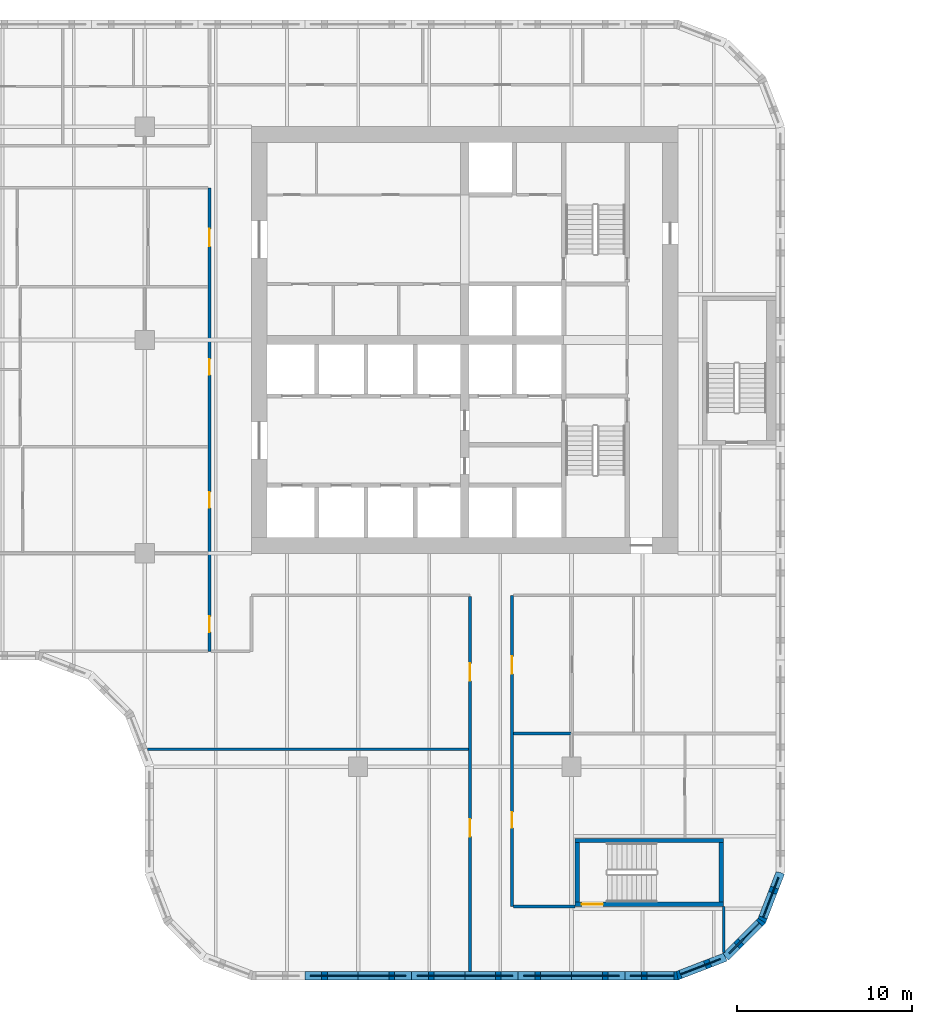
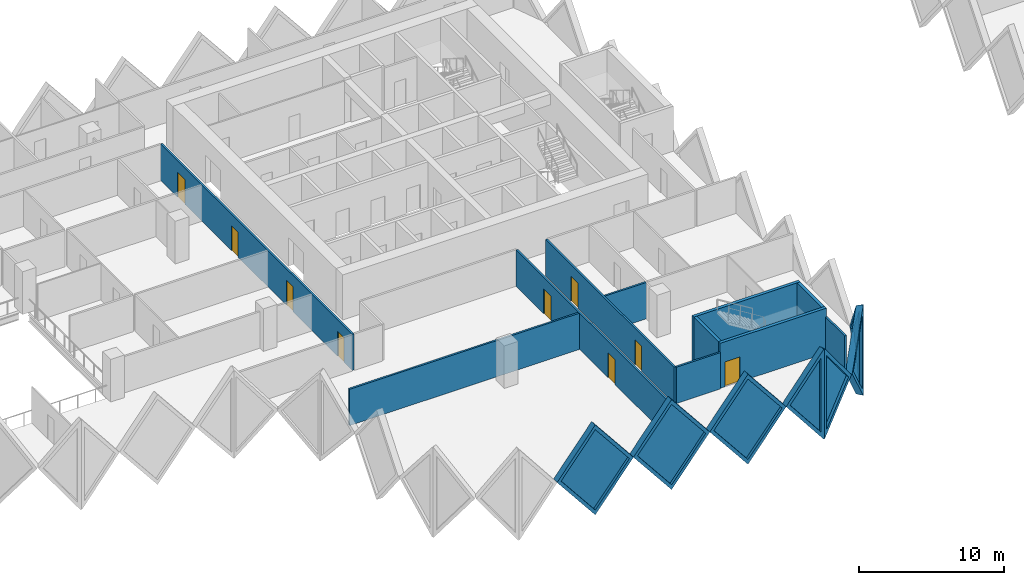
# One storey, part 5 of 18: 18 walls, 9 doors, 7 plates, 16 openings.
"""IFC4 building model written with IfcOpenShell, lengths in metres."""

from ifc_helpers import new_model, si_unit, direction, frame, frame_2d, origin, place, context, subcontext, project, spatial, polyline, rectangle, outline, extrude, faceted_brep, source, transform, mapped, material, layer, layer_set, type_object, element, fill, save


model = new_model("IFC4")

# Units and contexts
model_context = context("Model", 3, precision=1e-05, world=origin(), true_north=direction((0.0, 1.0)))
body_context = subcontext(model_context, "Body", "Model", "MODEL_VIEW")
ifc_project = project(units=[si_unit("LENGTHUNIT", "METRE"), si_unit("AREAUNIT", "SQUARE_METRE"), si_unit("VOLUMEUNIT", "CUBIC_METRE"), si_unit("PLANEANGLEUNIT", "RADIAN"), si_unit("MASSUNIT", "GRAM", prefix="KILO")], contexts=[model_context])

# Site, building, storey
site_placement = place(None, origin())
site = spatial("IfcSite", under=ifc_project, at=site_placement, CompositionType="ELEMENT")
building_placement = place(site_placement, origin())
building = spatial("IfcBuilding", under=site, at=building_placement, Name="Tessera Gate Towers", CompositionType="ELEMENT")
storey_placement = place(building_placement, frame((0.0, 0.0, 56.199951171875)))
storey = spatial("IfcBuildingStorey", under=building, at=storey_placement, Name="L13", CompositionType="ELEMENT", Elevation=56.199951171875)

# Wall, opening, door
ifc_material_1 = material(Name="Concrete C40/50", Category="concrete")
ifc_layer_1 = layer(ifc_material_1, 0.25)
ifc_layer_set_1 = layer_set([ifc_layer_1], Name="CORE ENCLOSURE WALL 250")
wall_type_1 = type_object("IfcWallType", Name="CORE ENCLOSURE WALL 250", PredefinedType="SOLIDWALL", material=ifc_layer_set_1)
wall_1_placement = place(storey_placement, frame((57.5, 4.324951171875, 0.0), z_axis=(0.0, 0.0, 1.0), x_axis=(-1.0, 0.0, 0.0)))
wall_1 = element("IfcWall", 1, at=wall_1_placement, inside=storey, type_object=wall_type_1, Name="L13 ST4 enclosure wall", PredefinedType="SOLIDWALL", context=body_context, shape_type="SweptSolid", body=[
    extrude(rectangle(XDim=8.5, YDim=0.25, at=frame_2d((4.25, 0.0))), origin(), (0.0, 0.0, 1.0), 3.800048828125),
])
shared_shape_1 = source(origin(), body_context, "Body", "SweptSolid", [
    extrude(rectangle(XDim=1.199951171875, YDim=2.10009765625, at=frame_2d((0.60009765625, 1.050048828125))), frame((0.0, 0.135009765625, 0.0), z_axis=(0.0, -1.0, 0.0), x_axis=(1.0, 0.0, 0.0)), (0.0, 0.0, 1.0), 0.27001953125),
])
opening_1_placement = place(wall_1_placement, frame((6.89990234375, 0.0, 0.0)))
opening_1 = element("IfcOpeningElement", 2, at=opening_1_placement, cuts=wall_1, Name="Opening SD-ST4-1", PredefinedType="OPENING", context=body_context, shape_type="MappedRepresentation", body=[
    mapped(shared_shape_1, transform((0.0, 0.0, 0.0), scale=1.0)),
])
ifc_material_2 = material(Name="Hollow steel fire door", Category="steel")
door_type_1 = type_object("IfcDoorType", Name="CORE DOOR SD 1200x2100", OperationType="NOTDEFINED", PredefinedType="DOOR", material=ifc_material_2)
shared_shape_2 = source(origin(), body_context, "Body", "SweptSolid", [
    extrude(rectangle(XDim=1.199951171875, YDim=2.10009765625, at=frame_2d((0.60009765625, 1.050048828125))), frame((0.0, 0.02490234375, 0.0), z_axis=(0.0, -1.0, 0.0), x_axis=(1.0, 0.0, 0.0)), (0.0, 0.0, 1.0), 0.050048828125),
])
door_1_placement = place(opening_1_placement, origin())
door_1 = element("IfcDoor", 3, at=door_1_placement, inside=storey, type_object=door_type_1, Name="Stair door", OperationType="SINGLE_SWING_RIGHT", OverallHeight=2.10009765625, OverallWidth=1.199951171875, PredefinedType="DOOR", context=body_context, shape_type="MappedRepresentation", body=[
    mapped(shared_shape_2, transform((0.0, 0.0, 0.0), scale=1.0)),
])
fill(opening_1, door_1)

# Walls
wall_2_placement = place(storey_placement, frame((49.125, 4.449951171875, 0.0), z_axis=(0.0, 0.0, 1.0), x_axis=(0.0, 1.0, 0.0)))
element("IfcWall", 4, at=wall_2_placement, inside=storey, type_object=wall_type_1, Name="L13 ST4 enclosure wall", PredefinedType="SOLIDWALL", context=body_context, shape_type="SweptSolid", body=[
    extrude(rectangle(XDim=3.400146484375, YDim=0.25, at=frame_2d((1.7001953125, 0.0))), origin(), (0.0, 0.0, 1.0), 3.800048828125),
])
wall_3_placement = place(storey_placement, frame((49.0, 7.97509765625, 0.0), z_axis=(0.0, 0.0, 1.0), x_axis=(1.0, 0.0, 0.0)))
element("IfcWall", 5, at=wall_3_placement, inside=storey, type_object=wall_type_1, Name="L13 ST4 enclosure wall", PredefinedType="SOLIDWALL", context=body_context, shape_type="SweptSolid", body=[
    extrude(rectangle(XDim=8.5, YDim=0.25, at=frame_2d((4.25, 0.0))), origin(), (0.0, 0.0, 1.0), 3.800048828125),
])
wall_4_placement = place(storey_placement, frame((57.375, 7.85009765625, 0.0), z_axis=(0.0, 0.0, 1.0), x_axis=(0.0, -1.0, 0.0)))
element("IfcWall", 6, at=wall_4_placement, inside=storey, type_object=wall_type_1, Name="L13 ST4 enclosure wall", PredefinedType="SOLIDWALL", context=body_context, shape_type="SweptSolid", body=[
    extrude(rectangle(XDim=3.400146484375, YDim=0.25, at=frame_2d((1.7001953125, 0.0))), origin(), (0.0, 0.0, 1.0), 3.800048828125),
])

# Wall, openings, doors
ifc_material_3 = material(Name="Gypsum board on steel studs, mineral wool", Category="steel")
ifc_layer_2 = layer(ifc_material_3, 0.14990234375)
ifc_layer_set_2 = layer_set([ifc_layer_2], Name="CORRIDOR WALL 150")
wall_type_2 = type_object("IfcWallType", Name="CORRIDOR WALL 150", PredefinedType="PARTITIONING", material=ifc_layer_set_2)
wall_5_placement = place(storey_placement, frame((43.0, 0.5, 0.0), z_axis=(0.0, 0.0, 1.0), x_axis=(0.0, 1.0, 0.0)))
wall_5 = element("IfcWall", 7, at=wall_5_placement, inside=storey, type_object=wall_type_2, Name="T1-L13-PW-001", PredefinedType="PARTITIONING", context=body_context, shape_type="SweptSolid", body=[
    extrude(rectangle(XDim=21.424072265625, YDim=0.14990234375, at=frame_2d((10.7119140625, 0.0))), origin(), (0.0, 0.0, 1.0), 3.067138671875),
])
shared_shape_3 = source(origin(), body_context, "Body", "SweptSolid", [
    extrude(rectangle(XDim=1.0, YDim=2.10009765625, at=frame_2d((0.5, 1.050048828125))), frame((0.0, 0.0849609375, 0.0), z_axis=(0.0, -1.0, 0.0), x_axis=(1.0, 0.0, 0.0)), (0.0, 0.0, 1.0), 0.169921875),
])
opening_2_placement = place(wall_5_placement, frame((16.60107421875, 0.0, 0.0)))
opening_2 = element("IfcOpeningElement", 8, at=opening_2_placement, cuts=wall_5, Name="Opening D2100FD60-A05-03", PredefinedType="OPENING", context=body_context, shape_type="MappedRepresentation", body=[
    mapped(shared_shape_3, transform((0.0, 0.0, 0.0), scale=1.0)),
])
opening_3_placement = place(wall_5_placement, frame((7.699951171875, 0.0, 0.0)))
opening_3 = element("IfcOpeningElement", 9, at=opening_3_placement, cuts=wall_5, Name="Opening D2100FD60-A05-04", PredefinedType="OPENING", context=body_context, shape_type="MappedRepresentation", body=[
    mapped(shared_shape_3, transform((0.0, 0.0, 0.0), scale=1.0)),
])
ifc_material_4 = material(Name="Timber door leaf in steel frame", Category="steel")
door_type_2 = type_object("IfcDoorType", Name="TENANCY ENTRANCE DOOR 1000 FD60", OperationType="NOTDEFINED", PredefinedType="DOOR", material=ifc_material_4)
shared_shape_4 = source(origin(), body_context, "Body", "SweptSolid", [
    extrude(rectangle(XDim=1.0, YDim=2.10009765625, at=frame_2d((0.5, 1.050048828125))), frame((0.0, 0.02490234375, 0.0), z_axis=(0.0, -1.0, 0.0), x_axis=(1.0, 0.0, 0.0)), (0.0, 0.0, 1.0), 0.050048828125),
])
door_2_placement = place(opening_2_placement, origin())
door_2 = element("IfcDoor", 10, at=door_2_placement, inside=storey, type_object=door_type_2, Name="T1-L13-PD-022", OperationType="SINGLE_SWING_LEFT", OverallHeight=2.10009765625, OverallWidth=1.0, PredefinedType="DOOR", context=body_context, shape_type="MappedRepresentation", body=[
    mapped(shared_shape_4, transform((0.0, 0.0, 0.0), scale=1.0)),
])
fill(opening_2, door_2)
door_3_placement = place(opening_3_placement, origin())
door_3 = element("IfcDoor", 11, at=door_3_placement, inside=storey, type_object=door_type_2, Name="T1-L13-PD-023", OperationType="SINGLE_SWING_LEFT", OverallHeight=2.10009765625, OverallWidth=1.0, PredefinedType="DOOR", context=body_context, shape_type="MappedRepresentation", body=[
    mapped(shared_shape_4, transform((0.0, 0.0, 0.0), scale=1.0)),
])
fill(opening_3, door_3)

# Wall
wall_6_placement = place(storey_placement, frame((57.5, 1.55908203125, 0.0), z_axis=(0.0, 0.0, 1.0), x_axis=(0.0, 1.0, 0.0)))
element("IfcWall", 12, at=wall_6_placement, inside=storey, type_object=wall_type_2, Name="T1-L13-PW-002", PredefinedType="PARTITIONING", context=body_context, shape_type="SweptSolid", body=[
    extrude(rectangle(XDim=2.640869140625, YDim=0.14990234375, at=frame_2d((1.3203125, 0.0))), origin(), (0.0, 0.0, 1.0), 3.067138671875),
])

# Wall, openings, doors
wall_7_placement = place(storey_placement, frame((45.39990234375, 22.0, 0.0), z_axis=(0.0, 0.0, 1.0), x_axis=(0.0, -1.0, 0.0)))
wall_7 = element("IfcWall", 13, at=wall_7_placement, inside=storey, type_object=wall_type_2, Name="T1-L13-PW-003", PredefinedType="PARTITIONING", context=body_context, shape_type="SweptSolid", body=[
    extrude(rectangle(XDim=17.800048828125, YDim=0.14990234375, at=frame_2d((8.89990234375, 0.0))), origin(), (0.0, 0.0, 1.0), 3.067138671875),
])
opening_4_placement = place(wall_7_placement, frame((3.4990234375, 0.0, 0.0)))
opening_4 = element("IfcOpeningElement", 14, at=opening_4_placement, cuts=wall_7, Name="Opening D2100FD60-A05-02", PredefinedType="OPENING", context=body_context, shape_type="MappedRepresentation", body=[
    mapped(shared_shape_3, transform((0.0, 0.0, 0.0), scale=1.0)),
])
shared_shape_5 = source(origin(), body_context, "Body", "SweptSolid", [
    extrude(rectangle(XDim=0.89990234375, YDim=2.10009765625, at=frame_2d((0.449951171875, 1.050048828125))), frame((0.0, 0.0849609375, 0.0), z_axis=(0.0, -1.0, 0.0), x_axis=(1.0, 0.0, 0.0)), (0.0, 0.0, 1.0), 0.169921875),
])
opening_5_placement = place(wall_7_placement, frame((12.39990234375, 0.0, 0.0)))
opening_5 = element("IfcOpeningElement", 15, at=opening_5_placement, cuts=wall_7, Name="Opening D890FD60-A05-07", PredefinedType="OPENING", context=body_context, shape_type="MappedRepresentation", body=[
    mapped(shared_shape_5, transform((0.0, 0.0, 0.0), scale=1.0)),
])
ifc_material_5 = material(Name="Timber door leaf in steel frame", Category="steel")
door_type_3 = type_object("IfcDoorType", Name="CORRIDOR DOOR 900 FD60", OperationType="NOTDEFINED", PredefinedType="DOOR", material=ifc_material_5)
shared_shape_6 = source(origin(), body_context, "Body", "SweptSolid", [
    extrude(rectangle(XDim=0.89990234375, YDim=2.10009765625, at=frame_2d((0.449951171875, 1.050048828125))), frame((0.0, 0.02490234375, 0.0), z_axis=(0.0, -1.0, 0.0), x_axis=(1.0, 0.0, 0.0)), (0.0, 0.0, 1.0), 0.050048828125),
])
door_4_placement = place(opening_5_placement, origin())
door_4 = element("IfcDoor", 16, at=door_4_placement, inside=storey, type_object=door_type_3, Name="T1-L13-PD-026", OperationType="SINGLE_SWING_RIGHT", OverallHeight=2.10009765625, OverallWidth=0.89990234375, PredefinedType="DOOR", context=body_context, shape_type="MappedRepresentation", body=[
    mapped(shared_shape_6, transform((0.0, 0.0, 0.0), scale=1.0)),
])
fill(opening_5, door_4)
door_5_placement = place(opening_4_placement, origin())
door_5 = element("IfcDoor", 17, at=door_5_placement, inside=storey, type_object=door_type_2, Name="T1-L13-PD-019", OperationType="SINGLE_SWING_RIGHT", OverallHeight=2.10009765625, OverallWidth=1.0, PredefinedType="DOOR", context=body_context, shape_type="MappedRepresentation", body=[
    mapped(shared_shape_4, transform((0.0, 0.0, 0.0), scale=1.0)),
])
fill(opening_4, door_5)

# Wall
wall_8_placement = place(storey_placement, frame((45.47607421875, 4.199951171875, 0.0), z_axis=(0.0, 0.0, 1.0), x_axis=(1.0, 0.0, 0.0)))
element("IfcWall", 18, at=wall_8_placement, inside=storey, type_object=wall_type_2, Name="T1-L13-PW-004", PredefinedType="PARTITIONING", context=body_context, shape_type="SweptSolid", body=[
    extrude(rectangle(XDim=3.52392578125, YDim=0.14990234375, at=frame_2d((1.761962890625, 0.0))), origin(), (0.0, 0.0, 1.0), 3.067138671875),
])

# Wall, openings, doors
wall_9_placement = place(storey_placement, frame((28.10009765625, 18.800048828125, 0.0), z_axis=(0.0, 0.0, 1.0), x_axis=(0.0, 1.0, 0.0)))
wall_9 = element("IfcWall", 19, at=wall_9_placement, inside=storey, type_object=wall_type_2, Name="T1-L13-PW-013", PredefinedType="PARTITIONING", context=body_context, shape_type="SweptSolid", body=[
    extrude(rectangle(XDim=26.5, YDim=0.14990234375, at=frame_2d((13.25, 0.0))), origin(), (0.0, 0.0, 1.0), 3.067138671875),
])
opening_6_placement = place(wall_9_placement, frame((1.10009765625, 0.0, 0.0)))
opening_6 = element("IfcOpeningElement", 20, at=opening_6_placement, cuts=wall_9, Name="Opening D890FD60-A05-01", PredefinedType="OPENING", context=body_context, shape_type="MappedRepresentation", body=[
    mapped(shared_shape_5, transform((0.0, 0.0, 0.0), scale=1.0)),
])
opening_7_placement = place(wall_9_placement, frame((23.15087890625, 0.0, 0.0)))
opening_7 = element("IfcOpeningElement", 21, at=opening_7_placement, cuts=wall_9, Name="Opening D2100FD60-A05-01", PredefinedType="OPENING", context=body_context, shape_type="MappedRepresentation", body=[
    mapped(shared_shape_3, transform((0.0, 0.0, 0.0), scale=1.0)),
])
opening_8_placement = place(wall_9_placement, frame((8.199951171875, 0.0, 0.0)))
opening_8 = element("IfcOpeningElement", 22, at=opening_8_placement, cuts=wall_9, Name="Opening D890FD60-A05-02", PredefinedType="OPENING", context=body_context, shape_type="MappedRepresentation", body=[
    mapped(shared_shape_5, transform((0.0, 0.0, 0.0), scale=1.0)),
])
opening_9_placement = place(wall_9_placement, frame((15.800048828125, 0.0, 0.0)))
opening_9 = element("IfcOpeningElement", 23, at=opening_9_placement, cuts=wall_9, Name="Opening D890FD60-A05-06", PredefinedType="OPENING", context=body_context, shape_type="MappedRepresentation", body=[
    mapped(shared_shape_5, transform((0.0, 0.0, 0.0), scale=1.0)),
])
door_6_placement = place(opening_6_placement, origin())
door_6 = element("IfcDoor", 24, at=door_6_placement, inside=storey, type_object=door_type_3, Name="T1-L13-PD-001", OperationType="SINGLE_SWING_LEFT", OverallHeight=2.10009765625, OverallWidth=0.89990234375, PredefinedType="DOOR", context=body_context, shape_type="MappedRepresentation", body=[
    mapped(shared_shape_6, transform((0.0, 0.0, 0.0), scale=1.0)),
])
fill(opening_6, door_6)
door_7_placement = place(opening_8_placement, origin())
door_7 = element("IfcDoor", 25, at=door_7_placement, inside=storey, type_object=door_type_3, Name="T1-L13-PD-015", OperationType="SINGLE_SWING_LEFT", OverallHeight=2.10009765625, OverallWidth=0.89990234375, PredefinedType="DOOR", context=body_context, shape_type="MappedRepresentation", body=[
    mapped(shared_shape_6, transform((0.0, 0.0, 0.0), scale=1.0)),
])
fill(opening_8, door_7)
door_8_placement = place(opening_9_placement, origin())
door_8 = element("IfcDoor", 26, at=door_8_placement, inside=storey, type_object=door_type_3, Name="T1-L13-PD-025", OperationType="SINGLE_SWING_LEFT", OverallHeight=2.10009765625, OverallWidth=0.89990234375, PredefinedType="DOOR", context=body_context, shape_type="MappedRepresentation", body=[
    mapped(shared_shape_6, transform((0.0, 0.0, 0.0), scale=1.0)),
])
fill(opening_9, door_8)
door_9_placement = place(opening_7_placement, origin())
door_9 = element("IfcDoor", 27, at=door_9_placement, inside=storey, type_object=door_type_2, Name="T1-L13-PD-011", OperationType="SINGLE_SWING_LEFT", OverallHeight=2.10009765625, OverallWidth=1.0, PredefinedType="DOOR", context=body_context, shape_type="MappedRepresentation", body=[
    mapped(shared_shape_4, transform((0.0, 0.0, 0.0), scale=1.0)),
])
fill(opening_7, door_9)

# Walls
ifc_material_6 = material(Name="Gypsum board on steel studs, mineral wool", Category="steel")
ifc_layer_3 = layer(ifc_material_6, 0.14990234375)
ifc_layer_set_3 = layer_set([ifc_layer_3], Name="TENANCY WALL 150")
wall_type_3 = type_object("IfcWallType", Name="TENANCY WALL 150", PredefinedType="PARTITIONING", material=ifc_layer_set_3)
wall_10_placement = place(storey_placement, frame((24.55029296875, 13.199951171875, 0.0), z_axis=(0.0, 0.0, 1.0), x_axis=(1.0, 0.0, 0.0)))
element("IfcWall", 28, at=wall_10_placement, inside=storey, type_object=wall_type_3, Name="T1-L13-PW-007", PredefinedType="PARTITIONING", context=body_context, shape_type="SweptSolid", body=[
    extrude(rectangle(XDim=18.373779296875, YDim=0.14990234375, at=frame_2d((9.18701171875, 0.0))), origin(), (0.0, 0.0, 1.0), 3.067138671875),
])
wall_11_placement = place(storey_placement, frame((45.47607421875, 14.10009765625, 0.0), z_axis=(0.0, 0.0, 1.0), x_axis=(1.0, 0.0, 0.0)))
element("IfcWall", 29, at=wall_11_placement, inside=storey, type_object=wall_type_3, Name="T1-L13-PW-008", PredefinedType="PARTITIONING", context=body_context, shape_type="SweptSolid", body=[
    extrude(rectangle(XDim=3.2978515625, YDim=0.14990234375, at=frame_2d((1.64892578125, 0.0))), origin(), (0.0, 0.0, 1.0), 3.067138671875),
])

# Wall, opening, plate
ifc_material_7 = material(Name="Precast concrete C60/75 white", Category="concrete")
ifc_layer_4 = layer(ifc_material_7, 0.5)
ifc_layer_set_4 = layer_set([ifc_layer_4], Name="TS1 tessera")
wall_type_4 = type_object("IfcWallType", Name="TS1 tessera", PredefinedType="SOLIDWALL", material=ifc_layer_set_4)
shared_shape_7 = source(origin(), body_context, "Body", "Brep", [
    faceted_brep([(3.050048828125, -0.25, 0.0), (6.099853515625, -0.25, 3.7998046875), (6.099853515625, -0.25, 3.80029296875), (3.050048828125, -0.25, 7.60009765625), (0.0, -0.25, 3.800048828125), (0.0, 0.25, 3.800048828125), (3.050048828125, 0.25, 7.60009765625), (6.099853515625, 0.25, 3.80029296875), (6.099853515625, 0.25, 3.7998046875), (3.050048828125, 0.25, 0.0)], [[[0, 1, 2, 3, 4]], [[5, 6, 7, 8, 9]], [[9, 8, 1, 0]], [[7, 6, 3, 2]], [[6, 5, 4, 3]], [[5, 9, 0, 4]], [[1, 8, 7, 2]]]),
])
wall_12_placement = place(storey_placement, frame((33.550048828125, 0.25, -3.800048828125), z_axis=(0.0, 0.0, 1.0), x_axis=(1.0, 0.0, 0.0)))
wall_12 = element("IfcWall", 30, at=wall_12_placement, inside=storey, type_object=wall_type_4, Name="Precast tessera T1 TS1-0184", PredefinedType="SOLIDWALL", context=body_context, shape_type="MappedRepresentation", body=[
    mapped(shared_shape_7, transform((0.0, 0.0, 0.0), scale=1.0)),
])
shared_shape_8 = source(origin(), body_context, "Body", "SweptSolid", [
    extrude(outline(polyline([(3.050048828125, 0.3994140625), (5.779541015625, 3.800048828125), (3.050048828125, 7.20068359375), (0.320556640625, 3.800048828125), (3.050048828125, 0.3994140625)])), frame((0.0, 0.260009765625, 0.0), z_axis=(0.0, -1.0, 0.0), x_axis=(1.0, 0.0, 0.0)), (0.0, 0.0, 1.0), 0.52001953125),
])
opening_10_placement = place(wall_12_placement, origin())
opening_10 = element("IfcOpeningElement", 31, at=opening_10_placement, cuts=wall_12, Name="Opening T1-PL2-0378", PredefinedType="OPENING", context=body_context, shape_type="MappedRepresentation", body=[
    mapped(shared_shape_8, transform((0.0, 0.0, 0.0), scale=1.0)),
])
ifc_material_8 = material(Name="Low-e laminated glass", Category="glass")
ifc_layer_5 = layer(ifc_material_8, 0.06005859375)
ifc_layer_set_5 = layer_set([ifc_layer_5], Name="PL2 rhombic pane")
plate_type = type_object("IfcPlateType", Name="PL2 rhombic pane", PredefinedType="SHEET", material=ifc_layer_set_5)
shared_shape_9 = source(origin(), body_context, "Body", "SweptSolid", [
    extrude(outline(polyline([(3.050048828125, 0.3994140625), (5.779541015625, 3.800048828125), (3.050048828125, 7.20068359375), (0.320556640625, 3.800048828125), (3.050048828125, 0.3994140625)])), frame((0.0, 0.030029296875, 0.0), z_axis=(0.0, -1.0, 0.0), x_axis=(1.0, 0.0, 0.0)), (0.0, 0.0, 1.0), 0.06005859375),
])
plate_1_placement = place(opening_10_placement, origin())
plate_1 = element("IfcPlate", 32, at=plate_1_placement, inside=storey, type_object=plate_type, Name="Glass pane T1 PL2-0378", PredefinedType="SHEET", context=body_context, shape_type="MappedRepresentation", body=[
    mapped(shared_shape_9, transform((0.0, 0.0, 0.0), scale=1.0)),
])
fill(opening_10, plate_1)

shared_shape_10 = source(origin(), body_context, "Body", "SweptSolid", [
    extrude(outline(polyline([(3.050048828125, 0.0), (6.10009765625, 3.800048828125), (3.050048828125, 7.60009765625), (0.0, 3.800048828125), (3.050048828125, 0.0)])), frame((0.0, 0.25, 0.0), z_axis=(0.0, -1.0, 0.0), x_axis=(1.0, 0.0, 0.0)), (0.0, 0.0, 1.0), 0.5),
])
wall_13_placement = place(storey_placement, frame((39.64990234375, 0.25, -3.800048828125), z_axis=(0.0, 0.0, 1.0), x_axis=(1.0, 0.0, 0.0)))
wall_13 = element("IfcWall", 33, at=wall_13_placement, inside=storey, type_object=wall_type_4, Name="Precast tessera T1 TS1-0185", PredefinedType="SOLIDWALL", context=body_context, shape_type="MappedRepresentation", body=[
    mapped(shared_shape_10, transform((0.0, 0.0, 0.0), scale=1.0)),
])
opening_11_placement = place(wall_13_placement, origin())
opening_11 = element("IfcOpeningElement", 34, at=opening_11_placement, cuts=wall_13, Name="Opening T1-PL2-0379", PredefinedType="OPENING", context=body_context, shape_type="MappedRepresentation", body=[
    mapped(shared_shape_8, transform((0.0, 0.0, 0.0), scale=1.0)),
])
plate_2_placement = place(opening_11_placement, origin())
plate_2 = element("IfcPlate", 35, at=plate_2_placement, inside=storey, type_object=plate_type, Name="Glass pane T1 PL2-0379", PredefinedType="SHEET", context=body_context, shape_type="MappedRepresentation", body=[
    mapped(shared_shape_9, transform((0.0, 0.0, 0.0), scale=1.0)),
])
fill(opening_11, plate_2)

wall_14_placement = place(storey_placement, frame((45.75, 0.25, -3.800048828125), z_axis=(0.0, 0.0, 1.0), x_axis=(1.0, 0.0, 0.0)))
wall_14 = element("IfcWall", 36, at=wall_14_placement, inside=storey, type_object=wall_type_4, Name="Precast tessera T1 TS1-0186", PredefinedType="SOLIDWALL", context=body_context, shape_type="MappedRepresentation", body=[
    mapped(shared_shape_10, transform((0.0, 0.0, 0.0), scale=1.0)),
])
opening_12_placement = place(wall_14_placement, origin())
opening_12 = element("IfcOpeningElement", 37, at=opening_12_placement, cuts=wall_14, Name="Opening T1-PL2-0380", PredefinedType="OPENING", context=body_context, shape_type="MappedRepresentation", body=[
    mapped(shared_shape_8, transform((0.0, 0.0, 0.0), scale=1.0)),
])
plate_3_placement = place(opening_12_placement, origin())
plate_3 = element("IfcPlate", 38, at=plate_3_placement, inside=storey, type_object=plate_type, Name="Glass pane T1 PL2-0380", PredefinedType="SHEET", context=body_context, shape_type="MappedRepresentation", body=[
    mapped(shared_shape_9, transform((0.0, 0.0, 0.0), scale=1.0)),
])
fill(opening_12, plate_3)

ifc_material_9 = material(Name="Precast concrete C60/75 white", Category="concrete")
ifc_layer_6 = layer(ifc_material_9, 0.5)
ifc_layer_set_6 = layer_set([ifc_layer_6], Name="TS3 corner tessera")
wall_type_5 = type_object("IfcWallType", Name="TS3 corner tessera", PredefinedType="SOLIDWALL", material=ifc_layer_set_6)
shared_shape_11 = source(origin(), body_context, "Body", "Brep", [
    faceted_brep([(3.00341796875, -0.25, 0.0), (3.050048828125, -0.25, 0.06005859375), (3.050048828125, -0.25, 7.5400390625), (3.00341796875, -0.25, 7.60009765625), (0.0, -0.25, 3.800048828125), (0.0, 0.25, 3.800048828125), (2.956787109375, 0.25, 7.541259765625), (2.956787109375, 0.25, 0.058837890625), (3.00341796875, 0.000244140625, 0.0), (3.00341796875, 0.000244140625, 7.60009765625)], [[[0, 1, 2, 3, 4]], [[5, 6, 7]], [[1, 0, 8]], [[9, 3, 2]], [[6, 5, 4, 3, 9]], [[5, 7, 8, 0, 4]], [[1, 8, 7, 6, 9, 2]]]),
])
wall_15_placement = place(storey_placement, frame((51.85009765625, 0.25, -3.800048828125), z_axis=(0.0, 0.0, 1.0), x_axis=(1.0, 0.0, 0.0)))
wall_15 = element("IfcWall", 39, at=wall_15_placement, inside=storey, type_object=wall_type_5, Name="Precast corner tessera T1 TS3-0267", PredefinedType="SOLIDWALL", context=body_context, shape_type="MappedRepresentation", body=[
    mapped(shared_shape_11, transform((0.0, 0.0, 0.0), scale=1.0)),
])
shared_shape_12 = source(origin(), body_context, "Body", "SweptSolid", [
    extrude(outline(polyline([(2.803466796875, 6.94384765625), (0.318603515625, 3.800048828125), (2.803466796875, 0.65625), (2.803466796875, 6.94384765625)])), frame((0.0, 0.260009765625, 0.0), z_axis=(0.0, -1.0, 0.0), x_axis=(1.0, 0.0, 0.0)), (0.0, 0.0, 1.0), 0.52001953125),
])
opening_13_placement = place(wall_15_placement, origin())
opening_13 = element("IfcOpeningElement", 40, at=opening_13_placement, cuts=wall_15, Name="Opening T1-PL2-0381", PredefinedType="OPENING", context=body_context, shape_type="MappedRepresentation", body=[
    mapped(shared_shape_12, transform((0.0, 0.0, 0.0), scale=1.0)),
])
shared_shape_13 = source(origin(), body_context, "Body", "SweptSolid", [
    extrude(outline(polyline([(2.803466796875, 6.94384765625), (0.318603515625, 3.800048828125), (2.803466796875, 0.65625), (2.803466796875, 6.94384765625)])), frame((0.0, 0.030029296875, 0.0), z_axis=(0.0, -1.0, 0.0), x_axis=(1.0, 0.0, 0.0)), (0.0, 0.0, 1.0), 0.06005859375),
])
plate_4_placement = place(opening_13_placement, origin())
plate_4 = element("IfcPlate", 41, at=plate_4_placement, inside=storey, type_object=plate_type, Name="Glass pane T1 PL2-0381", PredefinedType="SHEET", context=body_context, shape_type="MappedRepresentation", body=[
    mapped(shared_shape_13, transform((0.0, 0.0, 0.0), scale=1.0)),
])
fill(opening_13, plate_4)

shared_shape_14 = source(origin(), body_context, "Body", "Brep", [
    faceted_brep([(0.046630859375, -0.25, 0.0), (2.9970703125, -0.25, 3.800048828125), (0.046630859375, -0.25, 7.60009765625), (0.0, -0.25, 7.541259765625), (0.0, -0.25, 0.058837890625), (0.09326171875, 0.25, 7.5400390625), (2.9443359375, 0.25, 3.8681640625), (2.9443359375, 0.25, 3.73193359375), (0.09326171875, 0.25, 0.06005859375), (2.9970703125, 0.00048828125, 3.800048828125), (0.046630859375, 0.0, 0.0), (0.046630859375, 0.0, 7.60009765625)], [[[0, 1, 2, 3, 4]], [[5, 6, 7, 8]], [[8, 7, 9, 1, 0, 10]], [[6, 5, 11, 2, 1, 9]], [[3, 2, 11]], [[10, 0, 4]], [[8, 10, 4, 3, 11, 5]], [[9, 7, 6]]]),
])
wall_16_placement = place(storey_placement, frame((54.81005859375, 0.233154296875, -3.800048828125), z_axis=(0.0, 0.0, 1.0), x_axis=(0.932990326376, 0.359901446078, 0.0)))
wall_16 = element("IfcWall", 42, at=wall_16_placement, inside=storey, type_object=wall_type_5, Name="Precast corner tessera T1 TS3-0268", PredefinedType="SOLIDWALL", context=body_context, shape_type="MappedRepresentation", body=[
    mapped(shared_shape_14, transform((0.0, 0.0, 0.0), scale=1.0)),
])
shared_shape_15 = source(origin(), body_context, "Body", "SweptSolid", [
    extrude(outline(polyline([(0.24658203125, 0.665283203125), (2.6806640625, 3.800048828125), (0.24658203125, 6.934814453125), (0.24658203125, 0.665283203125)])), frame((0.0, 0.260009765625, 0.0), z_axis=(0.0, -1.0, 0.0), x_axis=(1.0, 0.0, 0.0)), (0.0, 0.0, 1.0), 0.52001953125),
])
opening_14_placement = place(wall_16_placement, origin())
opening_14 = element("IfcOpeningElement", 43, at=opening_14_placement, cuts=wall_16, Name="Opening T1-PL2-0382", PredefinedType="OPENING", context=body_context, shape_type="MappedRepresentation", body=[
    mapped(shared_shape_15, transform((0.0, 0.0, 0.0), scale=1.0)),
])
shared_shape_16 = source(origin(), body_context, "Body", "SweptSolid", [
    extrude(outline(polyline([(0.24658203125, 0.665283203125), (2.6806640625, 3.800048828125), (0.24658203125, 6.934814453125), (0.24658203125, 0.665283203125)])), frame((0.0, 0.030029296875, 0.0), z_axis=(0.0, -1.0, 0.0), x_axis=(1.0, 0.0, 0.0)), (0.0, 0.0, 1.0), 0.06005859375),
])
plate_5_placement = place(opening_14_placement, origin())
plate_5 = element("IfcPlate", 44, at=plate_5_placement, inside=storey, type_object=plate_type, Name="Glass pane T1 PL2-0382", PredefinedType="SHEET", context=body_context, shape_type="MappedRepresentation", body=[
    mapped(shared_shape_16, transform((0.0, 0.0, 0.0), scale=1.0)),
])
fill(opening_14, plate_5)

shared_shape_17 = source(origin(), body_context, "Body", "Brep", [
    faceted_brep([(2.944091796875, -0.25, 0.0), (2.9970703125, -0.25, 0.068115234375), (2.9970703125, -0.25, 7.531982421875), (2.944091796875, -0.25, 7.60009765625), (0.0, -0.25, 3.800048828125), (0.052978515625, 0.25, 3.868408203125), (2.89111328125, 0.25, 7.531982421875), (2.89111328125, 0.25, 0.068115234375), (0.052978515625, 0.25, 3.731689453125), (2.944091796875, 0.000244140625, 0.0), (2.944091796875, 0.000244140625, 7.60009765625), (0.0, 0.0, 3.800048828125)], [[[0, 1, 2, 3, 4]], [[5, 6, 7, 8]], [[1, 0, 9]], [[10, 3, 2]], [[6, 5, 11, 4, 3, 10]], [[8, 7, 9, 0, 4, 11]], [[8, 11, 5]], [[1, 9, 7, 6, 10, 2]]]),
])
wall_17_placement = place(storey_placement, frame((57.606201171875, 1.31201171875, -3.800048828125), z_axis=(0.0, 0.0, 1.0), x_axis=(0.707147509625, 0.707066050402, 0.0)))
wall_17 = element("IfcWall", 45, at=wall_17_placement, inside=storey, type_object=wall_type_5, Name="Precast corner tessera T1 TS3-0269", PredefinedType="SOLIDWALL", context=body_context, shape_type="MappedRepresentation", body=[
    mapped(shared_shape_17, transform((0.0, 0.0, 0.0), scale=1.0)),
])
shared_shape_18 = source(origin(), body_context, "Body", "SweptSolid", [
    extrude(outline(polyline([(2.744140625, 6.933837890625), (0.316162109375, 3.800048828125), (2.744140625, 0.66650390625), (2.744140625, 6.933837890625)])), frame((0.0, 0.260009765625, 0.0), z_axis=(0.0, -1.0, 0.0), x_axis=(1.0, 0.0, 0.0)), (0.0, 0.0, 1.0), 0.52001953125),
])
opening_15_placement = place(wall_17_placement, origin())
opening_15 = element("IfcOpeningElement", 46, at=opening_15_placement, cuts=wall_17, Name="Opening T1-PL2-0383", PredefinedType="OPENING", context=body_context, shape_type="MappedRepresentation", body=[
    mapped(shared_shape_18, transform((0.0, 0.0, 0.0), scale=1.0)),
])
shared_shape_19 = source(origin(), body_context, "Body", "SweptSolid", [
    extrude(outline(polyline([(2.744140625, 6.933837890625), (0.316162109375, 3.800048828125), (2.744140625, 0.66650390625), (2.744140625, 6.933837890625)])), frame((0.0, 0.030029296875, 0.0), z_axis=(0.0, -1.0, 0.0), x_axis=(1.0, 0.0, 0.0)), (0.0, 0.0, 1.0), 0.06005859375),
])
plate_6_placement = place(opening_15_placement, origin())
plate_6 = element("IfcPlate", 47, at=plate_6_placement, inside=storey, type_object=plate_type, Name="Glass pane T1 PL2-0383", PredefinedType="SHEET", context=body_context, shape_type="MappedRepresentation", body=[
    mapped(shared_shape_19, transform((0.0, 0.0, 0.0), scale=1.0)),
])
fill(opening_15, plate_6)

shared_shape_20 = source(origin(), body_context, "Body", "Brep", [
    faceted_brep([(0.052978515625, -0.25, 0.0), (3.00341796875, -0.25, 3.800048828125), (0.052978515625, -0.25, 7.60009765625), (0.0, -0.25, 7.53173828125), (0.0, -0.25, 0.068359375), (0.10595703125, 0.25, 7.531982421875), (2.95703125, 0.25, 3.85986328125), (2.95703125, 0.25, 3.740234375), (0.10595703125, 0.25, 0.068115234375), (3.00341796875, 0.00048828125, 3.800048828125), (0.052978515625, 0.0, 0.0), (0.052978515625, 0.0, 7.60009765625)], [[[0, 1, 2, 3, 4]], [[5, 6, 7, 8]], [[8, 7, 9, 1, 0, 10]], [[6, 5, 11, 2, 1, 9]], [[3, 2, 11]], [[10, 0, 4]], [[8, 10, 4, 3, 11, 5]], [[9, 7, 6]]]),
])
wall_18_placement = place(storey_placement, frame((59.6689453125, 3.34423828125, -3.800048828125), z_axis=(0.0, 0.0, 1.0), x_axis=(0.35992665181, 0.932980602862, 0.0)))
wall_18 = element("IfcWall", 48, at=wall_18_placement, inside=storey, type_object=wall_type_5, Name="Precast corner tessera T1 TS3-0270", PredefinedType="SOLIDWALL", context=body_context, shape_type="MappedRepresentation", body=[
    mapped(shared_shape_20, transform((0.0, 0.0, 0.0), scale=1.0)),
])
shared_shape_21 = source(origin(), body_context, "Body", "SweptSolid", [
    extrude(outline(polyline([(0.2529296875, 0.665283203125), (2.68701171875, 3.800048828125), (0.2529296875, 6.934814453125), (0.2529296875, 0.665283203125)])), frame((0.0, 0.260009765625, 0.0), z_axis=(0.0, -1.0, 0.0), x_axis=(1.0, 0.0, 0.0)), (0.0, 0.0, 1.0), 0.52001953125),
])
opening_16_placement = place(wall_18_placement, origin())
opening_16 = element("IfcOpeningElement", 49, at=opening_16_placement, cuts=wall_18, Name="Opening T1-PL2-0384", PredefinedType="OPENING", context=body_context, shape_type="MappedRepresentation", body=[
    mapped(shared_shape_21, transform((0.0, 0.0, 0.0), scale=1.0)),
])
shared_shape_22 = source(origin(), body_context, "Body", "SweptSolid", [
    extrude(outline(polyline([(0.2529296875, 0.665283203125), (2.68701171875, 3.800048828125), (0.2529296875, 6.934814453125), (0.2529296875, 0.665283203125)])), frame((0.0, 0.030029296875, 0.0), z_axis=(0.0, -1.0, 0.0), x_axis=(1.0, 0.0, 0.0)), (0.0, 0.0, 1.0), 0.06005859375),
])
plate_7_placement = place(opening_16_placement, origin())
plate_7 = element("IfcPlate", 50, at=plate_7_placement, inside=storey, type_object=plate_type, Name="Glass pane T1 PL2-0384", PredefinedType="SHEET", context=body_context, shape_type="MappedRepresentation", body=[
    mapped(shared_shape_22, transform((0.0, 0.0, 0.0), scale=1.0)),
])
fill(opening_16, plate_7)

save(model, "model.ifc")
